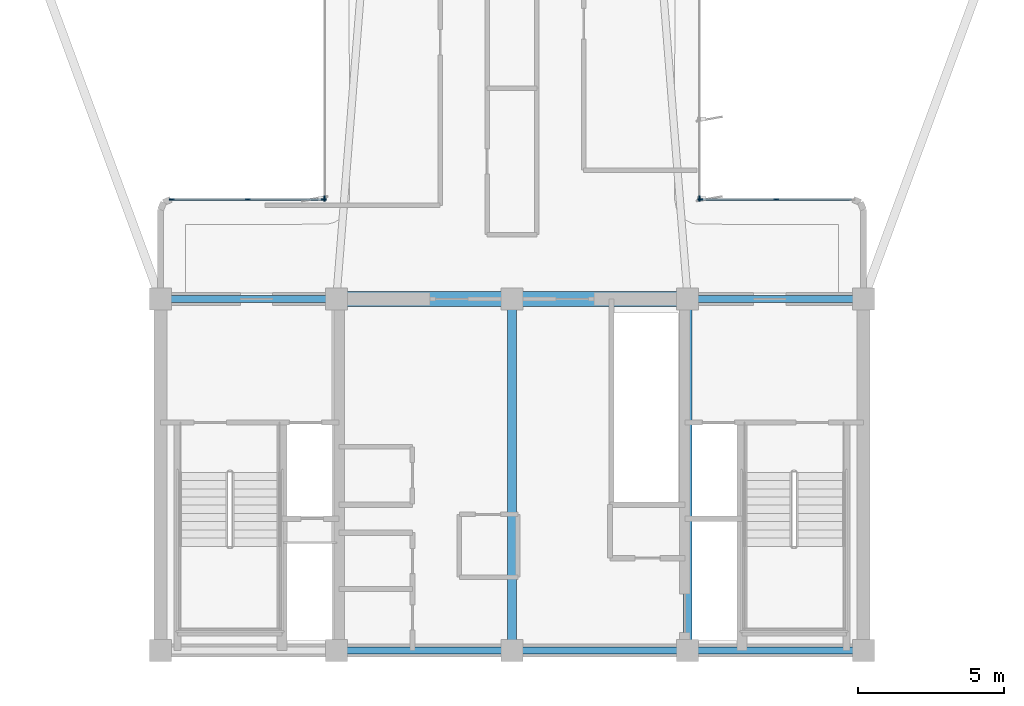
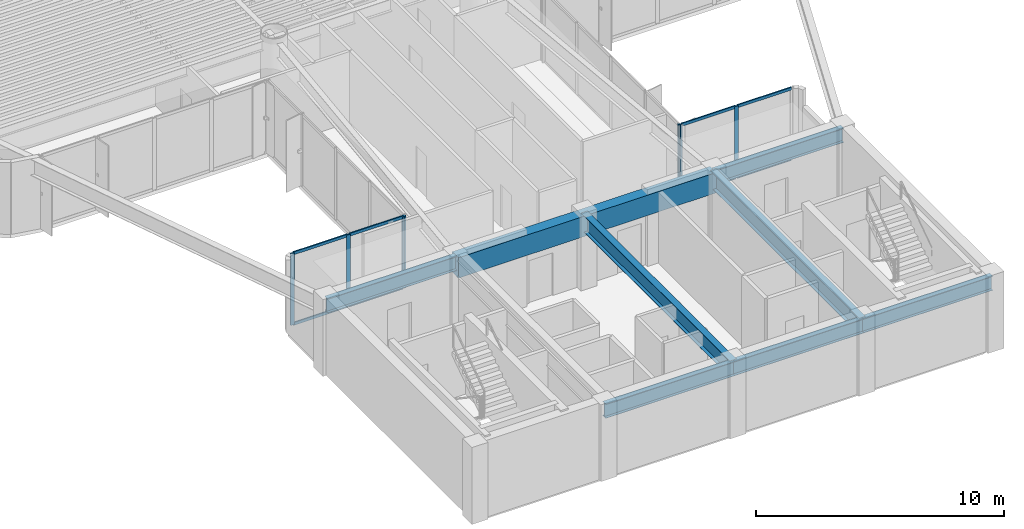
# One storey, part 2 of 14: 15 members, 8 beams, 4 elements without a shape of their own.
"""IFC4 building model written with IfcOpenShell, lengths in metres."""

from ifc_helpers import new_model, si_unit, direction, frame, origin, origin_2d, place, context, subcontext, project, spatial, rectangle, i_section, extrude, source, transform, mapped, material, layer, layer_set, material_profile, profile_set, type_object, element, aggregate, save


model = new_model("IFC4")

# Units and contexts
model_context = context("Model", 3, precision=1e-05, world=origin(), true_north=direction((0.0, 1.0)))
body_context = subcontext(model_context, "Body", "Model", "MODEL_VIEW")
ifc_project = project(units=[si_unit("LENGTHUNIT", "METRE"), si_unit("AREAUNIT", "SQUARE_METRE"), si_unit("VOLUMEUNIT", "CUBIC_METRE"), si_unit("PLANEANGLEUNIT", "RADIAN"), si_unit("MASSUNIT", "GRAM", prefix="KILO")], contexts=[model_context])

# Site, building, storey
site_placement = place(None, origin())
site = spatial("IfcSite", under=ifc_project, at=site_placement, CompositionType="ELEMENT")
building_placement = place(site_placement, origin())
building = spatial("IfcBuilding", under=site, at=building_placement, Name="Brelvock Crest Care Tower", CompositionType="ELEMENT")
storey_placement = place(building_placement, frame((0.0, 0.0, 194.219970703125)))
storey = spatial("IfcBuildingStorey", under=building, at=storey_placement, Name="L49", CompositionType="ELEMENT", Elevation=194.219970703125)

# Beams
ifc_material_1 = material(Name="Steel Grade 350", Category="steel")
ifc_material_profile_1 = material_profile(ifc_material_1, i_section(OverallWidth=0.25, OverallDepth=0.699951171875, WebThickness=0.011962890625, FlangeThickness=0.02001953125, at=origin_2d()), Name="700WB150")
ifc_profile_set_1 = profile_set([ifc_material_profile_1], Name="Steel Grade 350")
beam_type_1 = type_object("IfcBeamType", Name="BM-G4", PredefinedType="BEAM", material=ifc_profile_set_1)
shared_shape_1 = source(origin(), body_context, "Body", "SweptSolid", [
    extrude(i_section(OverallWidth=0.25, OverallDepth=0.699951171875, WebThickness=0.011962890625, FlangeThickness=0.02001953125, at=origin_2d()), origin(), (0.0, 0.0, 1.0), 6.0),
])
for number, where, z_axis, x_axis, name in (
    (1, (24.0, 18.0, 3.179931640625), (1.0, 0.0, 0.0), (0.0, 1.0, 0.0), "BM-COREN-L49-1"),
    (2, (30.0, 6.0, 3.179931640625), (1.0, 0.0, 0.0), (0.0, 1.0, 0.0), "BM-CORES-L49-2"),
    (3, (36.0, 6.0, 3.179931640625), (1.0, 0.0, 0.0), (0.0, 1.0, 0.0), "BM-CORES-L49-3"),
    (4, (42.0, 6.0, 3.179931640625), (1.0, 0.0, 0.0), (0.0, 1.0, 0.0), "BM-CORES-L49-4"),
    (5, (42.0, 18.0, 3.179931640625), (1.0, 0.0, 0.0), (0.0, 1.0, 0.0), "BM-COREN-L49-4"),
):
    element("IfcBeam", number, at=place(storey_placement, frame(where, z_axis=z_axis, x_axis=x_axis)), inside=storey, type_object=beam_type_1, Name=name, PredefinedType="BEAM", context=body_context, shape_type="MappedRepresentation", body=[
        mapped(shared_shape_1, transform((0.0, 0.0, 0.0), x_axis=(1.0, 0.0, 0.0), y_axis=(0.0, 1.0, 0.0), z_axis=(0.0, 0.0, 1.0), scale=1.0)),
    ])
ifc_material_profile_2 = material_profile(ifc_material_1, i_section(OverallWidth=0.300048828125, OverallDepth=0.800048828125, WebThickness=0.013916015625, FlangeThickness=0.02197265625, at=origin_2d()), Name="800WB192")
ifc_profile_set_2 = profile_set([ifc_material_profile_2], Name="Steel Grade 350")
beam_type_2 = type_object("IfcBeamType", Name="BM-G5", PredefinedType="BEAM", material=ifc_profile_set_2)
shared_shape_2 = source(origin(), body_context, "Body", "SweptSolid", [
    extrude(i_section(OverallWidth=0.300048828125, OverallDepth=0.800048828125, WebThickness=0.013916015625, FlangeThickness=0.02197265625, at=origin_2d()), origin(), (0.0, 0.0, 1.0), 12.0),
])
for number, where, z_axis, x_axis, name in (
    (6, (36.0, 6.0, 3.130126953125), (0.0, 1.0, 0.0), (-1.0, 0.0, 0.0), "BM-COREX-L49-3"),
    (7, (42.0, 6.0, 3.130126953125), (0.0, 1.0, 0.0), (-1.0, 0.0, 0.0), "BM-COREX-L49-4"),
):
    element("IfcBeam", number, at=place(storey_placement, frame(where, z_axis=z_axis, x_axis=x_axis)), inside=storey, type_object=beam_type_2, Name=name, PredefinedType="BEAM", context=body_context, shape_type="MappedRepresentation", body=[
        mapped(shared_shape_2, transform((0.0, 0.0, 0.0), x_axis=(1.0, 0.0, 0.0), y_axis=(0.0, 1.0, 0.0), z_axis=(0.0, 0.0, 1.0), scale=1.0)),
    ])
ifc_material_2 = material(Name="Concrete S65 (65 MPa)", Category="concrete")
ifc_material_profile_3 = material_profile(ifc_material_2, rectangle(XDim=0.5, YDim=1.0, at=origin_2d()), Name="RC500x1000")
ifc_profile_set_3 = profile_set([ifc_material_profile_3], Name="Concrete S65 (65 MPa)")
beam_type_3 = type_object("IfcBeamType", Name="BM-LN2", PredefinedType="LINTEL", material=ifc_profile_set_3)
shared_shape_3 = source(origin(), body_context, "Body", "SweptSolid", [
    extrude(rectangle(XDim=0.5, YDim=1.0, at=origin_2d()), origin(), (0.0, 0.0, 1.0), 12.0),
])
beam_placement = place(storey_placement, frame((30.0, 18.0, 3.030029296875), z_axis=(1.0, 0.0, 0.0), x_axis=(0.0, 1.0, 0.0)))
element("IfcBeam", 8, at=beam_placement, inside=storey, type_object=beam_type_3, Name="L49 Core Coupling Lintel Beam", PredefinedType="LINTEL", context=body_context, shape_type="MappedRepresentation", body=[
    mapped(shared_shape_3, transform((0.0, 0.0, 0.0), x_axis=(1.0, 0.0, 0.0), y_axis=(0.0, 1.0, 0.0), z_axis=(0.0, 0.0, 1.0), scale=1.0)),
])

# Curtain wall, members
ifc_material_3 = material(Name="Dark Glass Double Glazed Low-E", Category="glass")
ifc_layer = layer(ifc_material_3, 0.22509765625, Name="CWS-4")
ifc_layer_set = layer_set([ifc_layer], Name="Dark Glass Double Glazed Low-E")
curtain_wall_type = type_object("IfcCurtainWallType", Name="CWS-4", PredefinedType="NOTDEFINED", material=ifc_layer_set)
curtain_wall_1_placement = place(storey_placement, origin())
curtain_wall_1 = element("IfcCurtainWall", 9, at=curtain_wall_1_placement, inside=storey, type_object=curtain_wall_type, Name="L49 Curtain Wall E10", PredefinedType="NOTDEFINED")
ifc_material_4 = material(Name="Aluminium 6063-T6", Category="aluminium")
ifc_material_profile_4 = material_profile(ifc_material_4, rectangle(XDim=0.06005859375, YDim=0.179931640625, at=origin_2d()), Name="ALU60x180")
ifc_profile_set_4 = profile_set([ifc_material_profile_4], Name="Aluminium 6063-T6")
member_type_1 = type_object("IfcMemberType", Name="CWM-2", PredefinedType="MULLION", material=ifc_profile_set_4)
shared_shape_4 = source(origin(), body_context, "Body", "SweptSolid", [
    extrude(rectangle(XDim=0.06005859375, YDim=0.179931640625, at=origin_2d()), origin(), (0.0, 0.0, 1.0), 3.530029296875),
])
member_1_placement = place(storey_placement, frame((24.3798828125, 21.39990234375, 0.0), z_axis=(0.0, 0.0, 1.0), x_axis=(0.0, 1.0, 0.0)))
member_1 = element("IfcMember", 10, at=member_1_placement, type_object=member_type_1, Name="CW-4 mullion 1", PredefinedType="MULLION", context=body_context, shape_type="MappedRepresentation", body=[
    mapped(shared_shape_4, transform((0.0, 0.0, 0.0), x_axis=(1.0, 0.0, 0.0), y_axis=(0.0, 1.0, 0.0), z_axis=(0.0, 0.0, 1.0), scale=1.0)),
])
member_2_placement = place(storey_placement, frame((26.97509765625, 21.39990234375, 0.0), z_axis=(0.0, 0.0, 1.0), x_axis=(0.0, 1.0, 0.0)))
member_2 = element("IfcMember", 11, at=member_2_placement, type_object=member_type_1, Name="CW-4 mullion 2", PredefinedType="MULLION", context=body_context, shape_type="MappedRepresentation", body=[
    mapped(shared_shape_4, transform((0.0, 0.0, 0.0), x_axis=(1.0, 0.0, 0.0), y_axis=(0.0, 1.0, 0.0), z_axis=(0.0, 0.0, 1.0), scale=1.0)),
])
member_3_placement = place(storey_placement, frame((29.570068359375, 21.39990234375, 0.0), z_axis=(0.0, 0.0, 1.0), x_axis=(0.0, 1.0, 0.0)))
member_3 = element("IfcMember", 12, at=member_3_placement, type_object=member_type_1, Name="CW-4 mullion 3", PredefinedType="MULLION", context=body_context, shape_type="MappedRepresentation", body=[
    mapped(shared_shape_4, transform((0.0, 0.0, 0.0), x_axis=(1.0, 0.0, 0.0), y_axis=(0.0, 1.0, 0.0), z_axis=(0.0, 0.0, 1.0), scale=1.0)),
])

# Curtain wall, member
curtain_wall_2_placement = place(storey_placement, origin())
curtain_wall_2 = element("IfcCurtainWall", 13, at=curtain_wall_2_placement, inside=storey, type_object=curtain_wall_type, Name="L49 Curtain Wall E11", PredefinedType="NOTDEFINED")
member_4_placement = place(storey_placement, frame((29.60009765625, 21.429931640625, 0.0), z_axis=(0.0, 0.0, 1.0), x_axis=(-1.0, 0.0, 0.0)))
member_4 = element("IfcMember", 14, at=member_4_placement, type_object=member_type_1, Name="CW-4 mullion 1", PredefinedType="MULLION", context=body_context, shape_type="MappedRepresentation", body=[
    mapped(shared_shape_4, transform((0.0, 0.0, 0.0), x_axis=(1.0, 0.0, 0.0), y_axis=(0.0, 1.0, 0.0), z_axis=(0.0, 0.0, 1.0), scale=1.0)),
])
aggregate(curtain_wall_2, [member_4])

curtain_wall_3_placement = place(storey_placement, origin())
curtain_wall_3 = element("IfcCurtainWall", 15, at=curtain_wall_3_placement, inside=storey, type_object=curtain_wall_type, Name="L49 Curtain Wall E45", PredefinedType="NOTDEFINED")
member_5_placement = place(storey_placement, frame((42.39990234375, 21.429931640625, 0.0), z_axis=(0.0, 0.0, 1.0), x_axis=(1.0, 0.0, 0.0)))
member_5 = element("IfcMember", 16, at=member_5_placement, type_object=member_type_1, Name="CW-4 mullion 5", PredefinedType="MULLION", context=body_context, shape_type="MappedRepresentation", body=[
    mapped(shared_shape_4, transform((0.0, 0.0, 0.0), x_axis=(1.0, 0.0, 0.0), y_axis=(0.0, 1.0, 0.0), z_axis=(0.0, 0.0, 1.0), scale=1.0)),
])
aggregate(curtain_wall_3, [member_5])

# Curtain wall, members
curtain_wall_4_placement = place(storey_placement, origin())
curtain_wall_4 = element("IfcCurtainWall", 17, at=curtain_wall_4_placement, inside=storey, type_object=curtain_wall_type, Name="L49 Curtain Wall E46", PredefinedType="NOTDEFINED")
member_6_placement = place(storey_placement, frame((42.429931640625, 21.39990234375, 0.0), z_axis=(0.0, 0.0, 1.0), x_axis=(0.0, 1.0, 0.0)))
member_6 = element("IfcMember", 18, at=member_6_placement, type_object=member_type_1, Name="CW-4 mullion 1", PredefinedType="MULLION", context=body_context, shape_type="MappedRepresentation", body=[
    mapped(shared_shape_4, transform((0.0, 0.0, 0.0), x_axis=(1.0, 0.0, 0.0), y_axis=(0.0, 1.0, 0.0), z_axis=(0.0, 0.0, 1.0), scale=1.0)),
])
member_7_placement = place(storey_placement, frame((45.02490234375, 21.39990234375, 0.0), z_axis=(0.0, 0.0, 1.0), x_axis=(0.0, 1.0, 0.0)))
member_7 = element("IfcMember", 19, at=member_7_placement, type_object=member_type_1, Name="CW-4 mullion 2", PredefinedType="MULLION", context=body_context, shape_type="MappedRepresentation", body=[
    mapped(shared_shape_4, transform((0.0, 0.0, 0.0), x_axis=(1.0, 0.0, 0.0), y_axis=(0.0, 1.0, 0.0), z_axis=(0.0, 0.0, 1.0), scale=1.0)),
])

# Member
ifc_material_profile_5 = material_profile(ifc_material_4, rectangle(XDim=0.06005859375, YDim=0.139892578125, at=origin_2d()), Name="ALU60x140")
ifc_profile_set_5 = profile_set([ifc_material_profile_5], Name="Aluminium 6063-T6")
member_type_2 = type_object("IfcMemberType", Name="CWT-2", PredefinedType="USERDEFINED", material=ifc_profile_set_5)
shared_shape_5 = source(origin(), body_context, "Body", "SweptSolid", [
    extrude(rectangle(XDim=0.06005859375, YDim=0.139892578125, at=origin_2d()), origin(), (0.0, 0.0, 1.0), 2.53515625),
])
member_8_placement = place(storey_placement, frame((24.409912109375, 21.39990234375, 0.030029296875), z_axis=(1.0, 0.0, 0.0), x_axis=(0.0, 1.0, 0.0)))
member_8 = element("IfcMember", 20, at=member_8_placement, type_object=member_type_2, Name="CW-4 transom 1.1", ObjectType="TRANSOM", PredefinedType="USERDEFINED", context=body_context, shape_type="MappedRepresentation", body=[
    mapped(shared_shape_5, transform((0.0, 0.0, 0.0), x_axis=(1.0, 0.0, 0.0), y_axis=(0.0, 1.0, 0.0), z_axis=(0.0, 0.0, 1.0), scale=1.0)),
])

member_9_placement = place(storey_placement, frame((24.409912109375, 21.39990234375, 3.5), z_axis=(1.0, 0.0, 0.0), x_axis=(0.0, 1.0, 0.0)))
member_9 = element("IfcMember", 21, at=member_9_placement, type_object=member_type_2, Name="CW-4 transom 1.2", ObjectType="TRANSOM", PredefinedType="USERDEFINED", context=body_context, shape_type="MappedRepresentation", body=[
    mapped(shared_shape_5, transform((0.0, 0.0, 0.0), x_axis=(1.0, 0.0, 0.0), y_axis=(0.0, 1.0, 0.0), z_axis=(0.0, 0.0, 1.0), scale=1.0)),
])

member_10_placement = place(storey_placement, frame((27.0048828125, 21.39990234375, 0.030029296875), z_axis=(1.0, 0.0, 0.0), x_axis=(0.0, 1.0, 0.0)))
member_10 = element("IfcMember", 22, at=member_10_placement, type_object=member_type_2, Name="CW-4 transom 2.1", ObjectType="TRANSOM", PredefinedType="USERDEFINED", context=body_context, shape_type="MappedRepresentation", body=[
    mapped(shared_shape_5, transform((0.0, 0.0, 0.0), x_axis=(1.0, 0.0, 0.0), y_axis=(0.0, 1.0, 0.0), z_axis=(0.0, 0.0, 1.0), scale=1.0)),
])

member_11_placement = place(storey_placement, frame((27.0048828125, 21.39990234375, 3.5), z_axis=(1.0, 0.0, 0.0), x_axis=(0.0, 1.0, 0.0)))
member_11 = element("IfcMember", 23, at=member_11_placement, type_object=member_type_2, Name="CW-4 transom 2.2", ObjectType="TRANSOM", PredefinedType="USERDEFINED", context=body_context, shape_type="MappedRepresentation", body=[
    mapped(shared_shape_5, transform((0.0, 0.0, 0.0), x_axis=(1.0, 0.0, 0.0), y_axis=(0.0, 1.0, 0.0), z_axis=(0.0, 0.0, 1.0), scale=1.0)),
])

aggregate(curtain_wall_1, [member_1, member_2, member_3, member_8, member_9, member_10, member_11])

member_12_placement = place(storey_placement, frame((42.4599609375, 21.39990234375, 0.030029296875), z_axis=(1.0, 0.0, 0.0), x_axis=(0.0, 1.0, 0.0)))
member_12 = element("IfcMember", 24, at=member_12_placement, type_object=member_type_2, Name="CW-4 transom 1.1", ObjectType="TRANSOM", PredefinedType="USERDEFINED", context=body_context, shape_type="MappedRepresentation", body=[
    mapped(shared_shape_5, transform((0.0, 0.0, 0.0), x_axis=(1.0, 0.0, 0.0), y_axis=(0.0, 1.0, 0.0), z_axis=(0.0, 0.0, 1.0), scale=1.0)),
])

member_13_placement = place(storey_placement, frame((42.4599609375, 21.39990234375, 3.5), z_axis=(1.0, 0.0, 0.0), x_axis=(0.0, 1.0, 0.0)))
member_13 = element("IfcMember", 25, at=member_13_placement, type_object=member_type_2, Name="CW-4 transom 1.2", ObjectType="TRANSOM", PredefinedType="USERDEFINED", context=body_context, shape_type="MappedRepresentation", body=[
    mapped(shared_shape_5, transform((0.0, 0.0, 0.0), x_axis=(1.0, 0.0, 0.0), y_axis=(0.0, 1.0, 0.0), z_axis=(0.0, 0.0, 1.0), scale=1.0)),
])

member_14_placement = place(storey_placement, frame((45.054931640625, 21.39990234375, 0.030029296875), z_axis=(1.0, 0.0, 0.0), x_axis=(0.0, 1.0, 0.0)))
member_14 = element("IfcMember", 26, at=member_14_placement, type_object=member_type_2, Name="CW-4 transom 2.1", ObjectType="TRANSOM", PredefinedType="USERDEFINED", context=body_context, shape_type="MappedRepresentation", body=[
    mapped(shared_shape_5, transform((0.0, 0.0, 0.0), x_axis=(1.0, 0.0, 0.0), y_axis=(0.0, 1.0, 0.0), z_axis=(0.0, 0.0, 1.0), scale=1.0)),
])

member_15_placement = place(storey_placement, frame((45.054931640625, 21.39990234375, 3.5), z_axis=(1.0, 0.0, 0.0), x_axis=(0.0, 1.0, 0.0)))
member_15 = element("IfcMember", 27, at=member_15_placement, type_object=member_type_2, Name="CW-4 transom 2.2", ObjectType="TRANSOM", PredefinedType="USERDEFINED", context=body_context, shape_type="MappedRepresentation", body=[
    mapped(shared_shape_5, transform((0.0, 0.0, 0.0), x_axis=(1.0, 0.0, 0.0), y_axis=(0.0, 1.0, 0.0), z_axis=(0.0, 0.0, 1.0), scale=1.0)),
])

aggregate(curtain_wall_4, [member_6, member_7, member_12, member_13, member_14, member_15])

save(model, "model.ifc")
